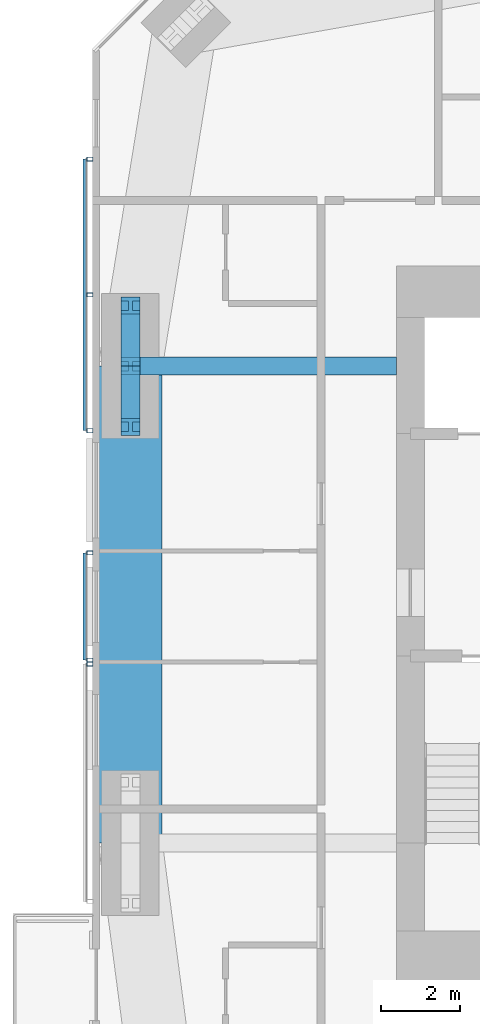
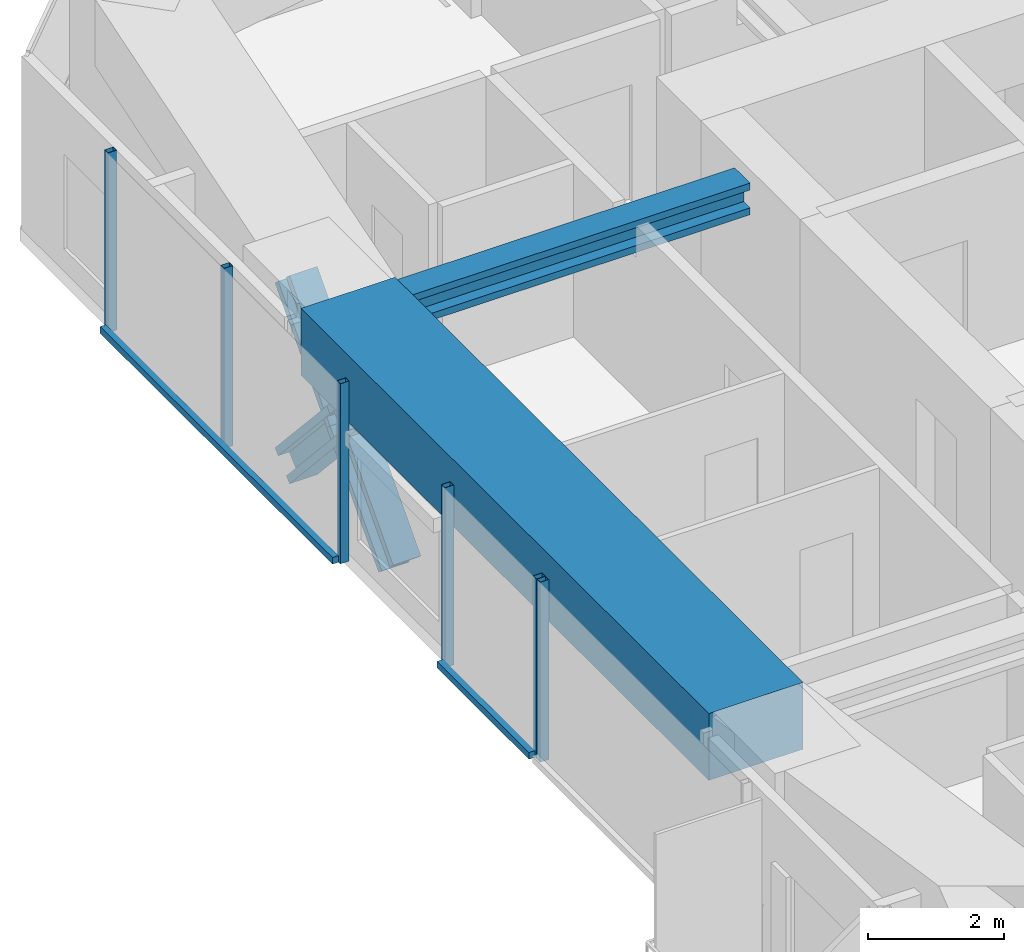
# One storey, part 6 of 23: 12 members, 2 beams, 3 elements without a shape of their own.
"""IFC4 building model written with IfcOpenShell, lengths in metres."""

from ifc_helpers import new_model, si_unit, direction, frame, origin, origin_2d, place, context, subcontext, project, spatial, rectangle, hollow_rectangle, i_section, extrude, material, material_profile, profile_set, type_object, element, aggregate, save


model = new_model("IFC4")

# Units and contexts
model_context = context("Model", 3, precision=1e-05, world=origin(), true_north=direction((0.0, 1.0)))
body_context = subcontext(model_context, "Body", "Model", "MODEL_VIEW")
ifc_project = project(units=[si_unit("LENGTHUNIT", "METRE"), si_unit("AREAUNIT", "SQUARE_METRE"), si_unit("VOLUMEUNIT", "CUBIC_METRE"), si_unit("PLANEANGLEUNIT", "RADIAN"), si_unit("MASSUNIT", "GRAM", prefix="KILO")], contexts=[model_context])

# Site, building, storey
site_placement = place(None, origin())
site = spatial("IfcSite", under=ifc_project, at=site_placement, CompositionType="ELEMENT")
building_placement = place(site_placement, origin())
building = spatial("IfcBuilding", under=site, at=building_placement, Name="Jalousie Tower", CompositionType="ELEMENT")
storey_placement = place(building_placement, frame((0.0, 0.0, 181.14990234375)))
storey = spatial("IfcBuildingStorey", under=building, at=storey_placement, Name="L49", CompositionType="ELEMENT", Elevation=181.14990234375)

# Beam
ifc_material_1 = material(Name="Steel ASTM A992 Grade 50", Category="steel")
ifc_material_profile_1 = material_profile(ifc_material_1, i_section(OverallWidth=0.45458984375, OverallDepth=0.569091796875, WebThickness=0.077880859375, FlangeThickness=0.124755859375, at=origin_2d()), Name="W14X730")
ifc_profile_set_1 = profile_set([ifc_material_profile_1], Name="Steel ASTM A992 Grade 50")
beam_type_1 = type_object("IfcBeamType", Name="LEAN COLLECTOR W14X730", PredefinedType="BEAM", material=ifc_profile_set_1)
beam_1_placement = place(storey_placement, frame((12.949951171875, 25.0, 2.82568359375), z_axis=(1.0, 0.0, 0.0), x_axis=(0.0, 1.0, 0.0)))
element("IfcBeam", 1, at=beam_1_placement, inside=storey, type_object=beam_type_1, Name="Lean collector under L50", PredefinedType="BEAM", context=body_context, shape_type="SweptSolid", body=[
    extrude(i_section(OverallWidth=0.45458984375, OverallDepth=0.569091796875, WebThickness=0.077880859375, FlangeThickness=0.124755859375, at=origin_2d()), origin(), (0.0, 0.0, 1.0), 6.699951171875),
])

# Members
ifc_material_2 = material(Name="Steel ASTM A992 Grade 50", Category="steel")
ifc_material_profile_2 = material_profile(ifc_material_2, i_section(OverallWidth=0.472412109375, OverallDepth=0.5791015625, WebThickness=0.094970703125, FlangeThickness=0.1298828125, at=origin_2d()), Name="W14X808")
ifc_profile_set_2 = profile_set([ifc_material_profile_2], Name="Steel ASTM A992 Grade 50")
member_type_1 = type_object("IfcMemberType", Name="PERIMETER BRACE W14X808", PredefinedType="BRACE", material=ifc_profile_set_2)
for number, where, z_axis, x_axis, name in (
    (2, (12.949951171875, 23.47509765625, -0.599853515625), (0.0, 0.673187629365, 0.739471713908), (-1.0, 0.0, 0.0), "Perimeter brace 13 L49 part 1"),
    (3, (12.949951171875, 25.0, 1.0751953125), (0.0, 0.673241284601, 0.739422864611), (-1.0, 0.0, 0.0), "Perimeter brace 13 L49 part 2"),
    (4, (12.949951171875, 26.52490234375, -0.599853515625), (0.0, -0.673187629365, 0.739471713908), (1.0, 0.0, 0.0), "Perimeter brace 13 L49 part 3"),
    (5, (12.949951171875, 25.0, 1.0751953125), (0.0, -0.673241284601, 0.739422864611), (1.0, 0.0, 0.0), "Perimeter brace 13 L49 part 4"),
):
    element("IfcMember", number, at=place(storey_placement, frame(where, z_axis=z_axis, x_axis=x_axis)), inside=storey, type_object=member_type_1, Name=name, PredefinedType="BRACE", context=body_context, shape_type="SweptSolid", body=[
        extrude(i_section(OverallWidth=0.472412109375, OverallDepth=0.5791015625, WebThickness=0.094970703125, FlangeThickness=0.1298828125, at=origin_2d()), origin(), (0.0, 0.0, 1.0), 2.26513671875),
    ])

# Beam
ifc_material_3 = material(Name="Concrete f'c 40 MPa", Category="concrete")
ifc_material_profile_3 = material_profile(ifc_material_3, rectangle(XDim=1.60009765625, YDim=1.199951171875, at=origin_2d()), Name="RC 1600x1200")
ifc_profile_set_3 = profile_set([ifc_material_profile_3], Name="Concrete f'c 40 MPa")
beam_type_2 = type_object("IfcBeamType", Name="RC BEAM 1600x1200", PredefinedType="BEAM", material=ifc_profile_set_3)
beam_2_placement = place(storey_placement, frame((12.949951171875, 25.0, 2.75), z_axis=(0.0, -1.0, 0.0), x_axis=(1.0, 0.0, 0.0)))
element("IfcBeam", 6, at=beam_2_placement, inside=storey, type_object=beam_type_2, Name="Edge band beam 13-14 under L50", PredefinedType="BEAM", context=body_context, shape_type="SweptSolid", body=[
    extrude(rectangle(XDim=1.60009765625, YDim=1.199951171875, at=origin_2d()), origin(), (0.0, 0.0, 1.0), 12.0),
])

# Curtain wall, members
ifc_material_4 = material(Name="Perforated aluminium sheet", Category="aluminium")
curtain_wall_type = type_object("IfcCurtainWallType", Name="SOLAR SCREEN SS-1", PredefinedType="USERDEFINED", material=ifc_material_4)
curtain_wall_1_placement = place(storey_placement, origin())
curtain_wall_1 = element("IfcCurtainWall", 7, at=curtain_wall_1_placement, inside=storey, type_object=curtain_wall_type, Name="Solar screen L49", ObjectType="SOLAR SCREEN SS-1", PredefinedType="USERDEFINED")
ifc_material_5 = material(Name="Steel ASTM A500 Grade C", Category="steel")
ifc_material_profile_4 = material_profile(ifc_material_5, hollow_rectangle(XDim=0.1015625, YDim=0.15234375, WallThickness=0.00634765625, at=origin_2d()), Name="HSS6X4X1/4")
ifc_profile_set_4 = profile_set([ifc_material_profile_4], Name="Steel ASTM A500 Grade C")
member_type_2 = type_object("IfcMemberType", Name="SOLAR SCREEN SS-1 MULLION", PredefinedType="MULLION", material=ifc_profile_set_4)
member_1_placement = place(storey_placement, frame((11.9287109375, 30.2119140625, -0.119873046875), z_axis=(0.0, 0.0, 1.0), x_axis=(0.0, -1.0, 0.0)))
member_1 = element("IfcMember", 8, at=member_1_placement, type_object=member_type_2, Name="SS1 post 1", PredefinedType="MULLION", context=body_context, shape_type="SweptSolid", body=[
    extrude(hollow_rectangle(XDim=0.1015625, YDim=0.15234375, WallThickness=0.00634765625, at=origin_2d()), origin(), (0.0, 0.0, 1.0), 3.22998046875),
])
member_2_placement = place(storey_placement, frame((11.9287109375, 26.79345703125, -0.119873046875), z_axis=(0.0, 0.0, 1.0), x_axis=(0.0, -1.0, 0.0)))
member_2 = element("IfcMember", 9, at=member_2_placement, type_object=member_type_2, Name="SS1 post 2", PredefinedType="MULLION", context=body_context, shape_type="SweptSolid", body=[
    extrude(hollow_rectangle(XDim=0.1015625, YDim=0.15234375, WallThickness=0.00634765625, at=origin_2d()), origin(), (0.0, 0.0, 1.0), 3.22998046875),
])
member_3_placement = place(storey_placement, frame((11.9287109375, 23.375, -0.119873046875), z_axis=(0.0, 0.0, 1.0), x_axis=(0.0, -1.0, 0.0)))
member_3 = element("IfcMember", 10, at=member_3_placement, type_object=member_type_2, Name="SS1 post 3", PredefinedType="MULLION", context=body_context, shape_type="SweptSolid", body=[
    extrude(hollow_rectangle(XDim=0.1015625, YDim=0.15234375, WallThickness=0.00634765625, at=origin_2d()), origin(), (0.0, 0.0, 1.0), 3.22998046875),
])

curtain_wall_2_placement = place(storey_placement, origin())
curtain_wall_2 = element("IfcCurtainWall", 11, at=curtain_wall_2_placement, inside=storey, type_object=curtain_wall_type, Name="Solar screen L49", ObjectType="SOLAR SCREEN SS-1", PredefinedType="USERDEFINED")
member_4_placement = place(storey_placement, frame((11.9287109375, 20.300048828125, -0.119873046875), z_axis=(0.0, 0.0, 1.0), x_axis=(0.0, -1.0, 0.0)))
member_4 = element("IfcMember", 12, at=member_4_placement, type_object=member_type_2, Name="SS1 post 1", PredefinedType="MULLION", context=body_context, shape_type="SweptSolid", body=[
    extrude(hollow_rectangle(XDim=0.1015625, YDim=0.15234375, WallThickness=0.00634765625, at=origin_2d()), origin(), (0.0, 0.0, 1.0), 3.22998046875),
])
member_5_placement = place(storey_placement, frame((11.9287109375, 17.60009765625, -0.119873046875), z_axis=(0.0, 0.0, 1.0), x_axis=(0.0, -1.0, 0.0)))
member_5 = element("IfcMember", 13, at=member_5_placement, type_object=member_type_2, Name="SS1 post 2", PredefinedType="MULLION", context=body_context, shape_type="SweptSolid", body=[
    extrude(hollow_rectangle(XDim=0.1015625, YDim=0.15234375, WallThickness=0.00634765625, at=origin_2d()), origin(), (0.0, 0.0, 1.0), 3.22998046875),
])

# Curtain wall, member
curtain_wall_3_placement = place(storey_placement, origin())
curtain_wall_3 = element("IfcCurtainWall", 14, at=curtain_wall_3_placement, inside=storey, type_object=curtain_wall_type, Name="Solar screen L49", ObjectType="SOLAR SCREEN SS-1", PredefinedType="USERDEFINED")
member_6_placement = place(storey_placement, frame((11.9287109375, 17.5, -0.119873046875), z_axis=(0.0, 0.0, 1.0), x_axis=(0.0, -1.0, 0.0)))
member_6 = element("IfcMember", 15, at=member_6_placement, type_object=member_type_2, Name="SS1 post 1", PredefinedType="MULLION", context=body_context, shape_type="SweptSolid", body=[
    extrude(hollow_rectangle(XDim=0.1015625, YDim=0.15234375, WallThickness=0.00634765625, at=origin_2d()), origin(), (0.0, 0.0, 1.0), 3.22998046875),
])
aggregate(curtain_wall_3, [member_6])

# Member
ifc_material_6 = material(Name="Extruded aluminium screen rail", Category="aluminium")
ifc_material_profile_5 = material_profile(ifc_material_6, rectangle(XDim=0.1015625, YDim=0.1201171875, at=origin_2d()), Name="RAIL 102x120")
ifc_profile_set_5 = profile_set([ifc_material_profile_5], Name="Extruded aluminium screen rail")
member_type_3 = type_object("IfcMemberType", Name="SOLAR SCREEN SS-1 TRANSOM", PredefinedType="USERDEFINED", material=ifc_profile_set_5)
member_7_placement = place(storey_placement, frame((11.8017578125, 30.2119140625, -0.059814453125), z_axis=(0.0, -1.0, 0.0), x_axis=(1.0, 0.0, 0.0)))
member_7 = element("IfcMember", 16, at=member_7_placement, type_object=member_type_3, Name="SS1 rail", ObjectType="TRANSOM", PredefinedType="USERDEFINED", context=body_context, shape_type="SweptSolid", body=[
    extrude(rectangle(XDim=0.1015625, YDim=0.1201171875, at=origin_2d()), origin(), (0.0, 0.0, 1.0), 6.8369140625),
])

aggregate(curtain_wall_1, [member_1, member_2, member_3, member_7])

member_8_placement = place(storey_placement, frame((11.8017578125, 20.300048828125, -0.059814453125), z_axis=(0.0, -1.0, 0.0), x_axis=(1.0, 0.0, 0.0)))
member_8 = element("IfcMember", 17, at=member_8_placement, type_object=member_type_3, Name="SS1 rail", ObjectType="TRANSOM", PredefinedType="USERDEFINED", context=body_context, shape_type="SweptSolid", body=[
    extrude(rectangle(XDim=0.1015625, YDim=0.1201171875, at=origin_2d()), origin(), (0.0, 0.0, 1.0), 2.699951171875),
])

aggregate(curtain_wall_2, [member_4, member_5, member_8])

save(model, "model.ifc")
